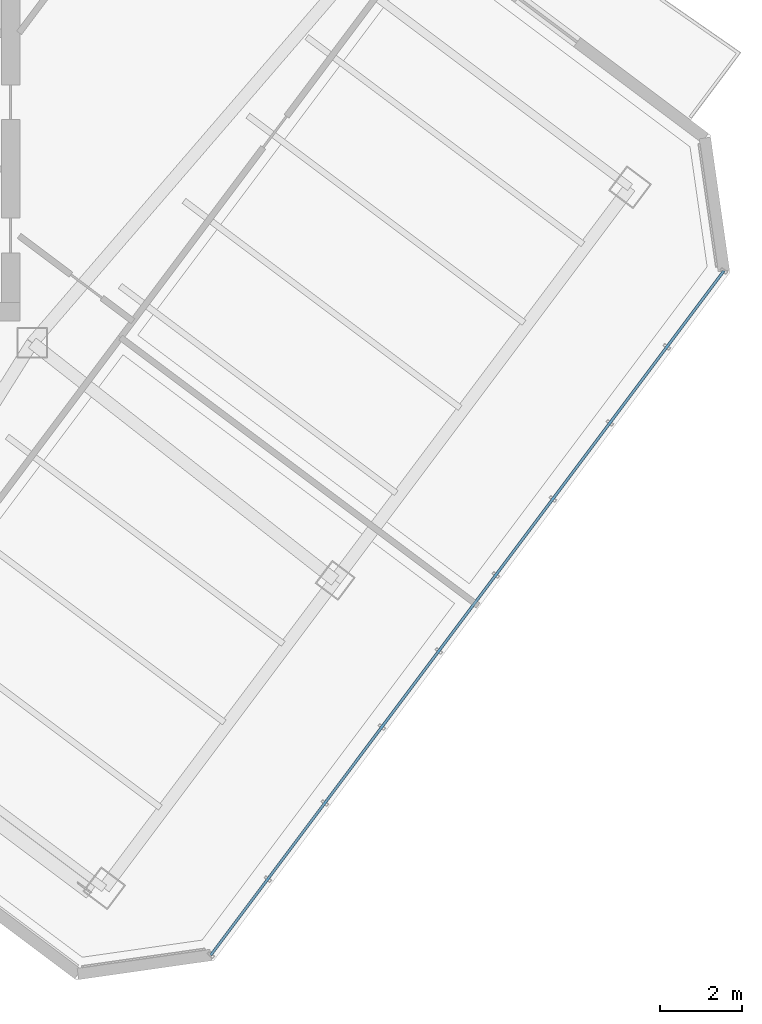
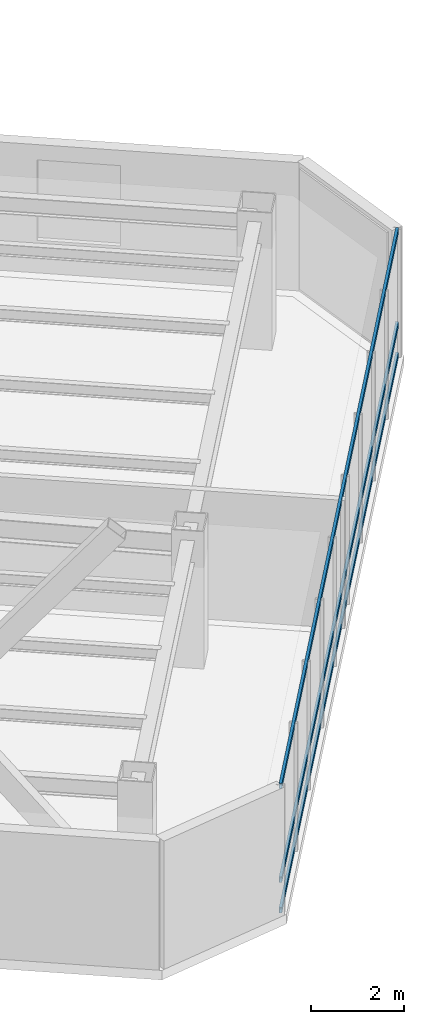
# One storey, part 12 of 24: 3 members, 1 element without a shape of its own.
"""IFC4 building model written with IfcOpenShell, lengths in metres."""

from ifc_helpers import new_model, si_unit, direction, frame, origin, origin_2d, place, context, subcontext, project, spatial, hollow_rectangle, extrude, material, layer, layer_set, material_profile, profile_set, type_object, element, aggregate, save


model = new_model("IFC4")

# Units and contexts
model_context = context("Model", 3, precision=1e-05, world=origin(), true_north=direction((0.0, 1.0)))
body_context = subcontext(model_context, "Body", "Model", "MODEL_VIEW")
ifc_project = project(units=[si_unit("LENGTHUNIT", "METRE"), si_unit("AREAUNIT", "SQUARE_METRE"), si_unit("VOLUMEUNIT", "CUBIC_METRE"), si_unit("PLANEANGLEUNIT", "RADIAN"), si_unit("MASSUNIT", "GRAM", prefix="KILO")], contexts=[model_context])

# Site, building, storey
site_placement = place(None, origin())
site = spatial("IfcSite", under=ifc_project, at=site_placement, CompositionType="ELEMENT")
building_placement = place(site_placement, origin())
building = spatial("IfcBuilding", under=site, at=building_placement, Name="Hatsunagi Terrace Concourse", CompositionType="ELEMENT")
storey_placement = place(building_placement, frame((0.0, 0.0, 202.35009765625)))
storey = spatial("IfcBuildingStorey", under=building, at=storey_placement, Name="L53", CompositionType="ELEMENT", Elevation=202.35009765625)

# Curtain wall, members
ifc_material_1 = material(Name="Anodised Aluminium Alloy 6063-T5", Category="aluminium")
ifc_layer = layer(ifc_material_1, 0.199951171875)
ifc_layer_set = layer_set([ifc_layer], Name="OfficeZone2_CW04")
curtain_wall_type = type_object("IfcCurtainWallType", Name="OfficeZone2_CW04", PredefinedType="NOTDEFINED", material=ifc_layer_set)
curtain_wall_placement = place(storey_placement, origin())
curtain_wall = element("IfcCurtainWall", 1, at=curtain_wall_placement, inside=storey, type_object=curtain_wall_type, Name="Unitised Curtain Wall CW-04 CW-L53-03", PredefinedType="NOTDEFINED")
ifc_material_2 = material(Name="Anodised Aluminium Alloy 6063-T5", Category="aluminium")
ifc_material_profile = material_profile(ifc_material_2, hollow_rectangle(XDim=0.06494140625, YDim=0.139892578125, WallThickness=0.00390625, at=origin_2d()), Name="ALU-TRN-140x65x4")
ifc_profile_set = profile_set([ifc_material_profile], Name="Anodised Aluminium Alloy 6063-T5")
member_type = type_object("IfcMemberType", Name="CurtainWallTransom_140x65", PredefinedType="USERDEFINED", material=ifc_profile_set)
member_1_placement = place(storey_placement, frame((60.693115234375, 25.9580078125, 0.0498046875), z_axis=(-0.599970072971, -0.800022444397, 0.0), x_axis=(0.800022444397, -0.599970072971, 0.0)))
member_1 = element("IfcMember", 2, at=member_1_placement, type_object=member_type, Name="Curtain Wall Transom TRN-02", ObjectType="TRANSOM", PredefinedType="USERDEFINED", context=body_context, shape_type="SweptSolid", body=[
    extrude(hollow_rectangle(XDim=0.06494140625, YDim=0.139892578125, WallThickness=0.00390625, at=origin_2d()), origin(), (0.0, 0.0, 1.0), 20.884521484375),
])
member_2_placement = place(storey_placement, frame((60.693115234375, 25.9580078125, 0.849853515625), z_axis=(-0.599970072971, -0.800022444397, 0.0), x_axis=(0.800022444397, -0.599970072971, 0.0)))
member_2 = element("IfcMember", 3, at=member_2_placement, type_object=member_type, Name="Curtain Wall Transom TRN-02", ObjectType="TRANSOM", PredefinedType="USERDEFINED", context=body_context, shape_type="SweptSolid", body=[
    extrude(hollow_rectangle(XDim=0.06494140625, YDim=0.139892578125, WallThickness=0.00390625, at=origin_2d()), origin(), (0.0, 0.0, 1.0), 20.884521484375),
])
member_3_placement = place(storey_placement, frame((60.693115234375, 25.9580078125, 3.2998046875), z_axis=(-0.599970072971, -0.800022444397, 0.0), x_axis=(0.800022444397, -0.599970072971, 0.0)))
member_3 = element("IfcMember", 4, at=member_3_placement, type_object=member_type, Name="Curtain Wall Transom TRN-02", ObjectType="TRANSOM", PredefinedType="USERDEFINED", context=body_context, shape_type="SweptSolid", body=[
    extrude(hollow_rectangle(XDim=0.06494140625, YDim=0.139892578125, WallThickness=0.00390625, at=origin_2d()), origin(), (0.0, 0.0, 1.0), 20.884521484375),
])
aggregate(curtain_wall, [member_1, member_2, member_3])

save(model, "model.ifc")
